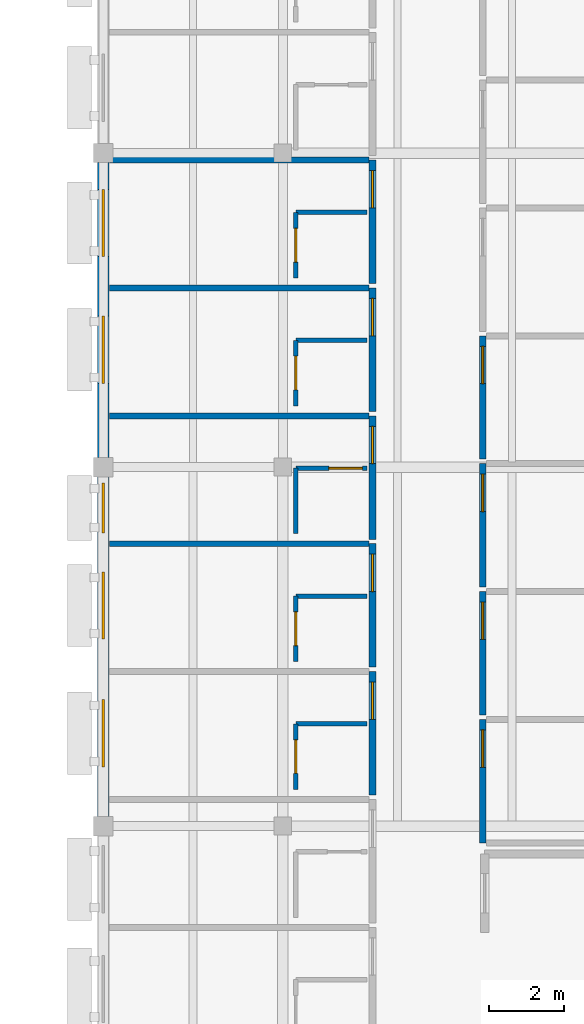
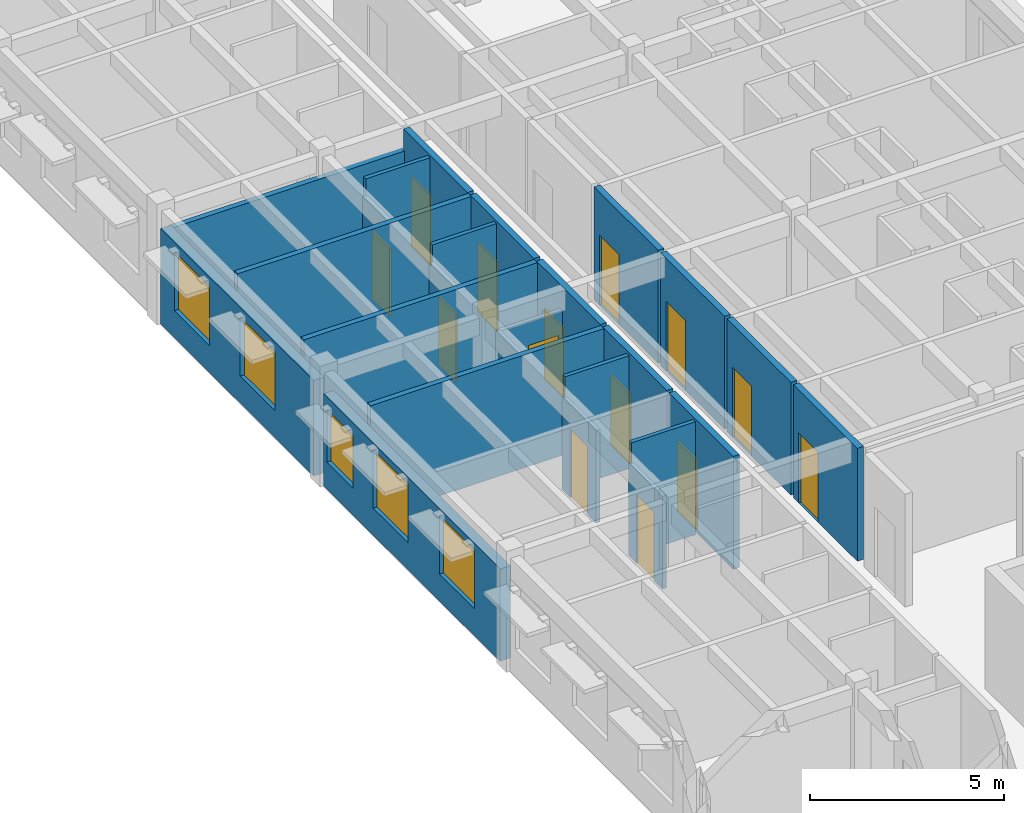
# One storey, part 10 of 22: 25 walls, 14 doors, 5 windows, 19 openings.
"""IFC4 building model written with IfcOpenShell, lengths in metres."""

from ifc_helpers import new_model, si_unit, direction, frame, frame_2d, origin, place, context, subcontext, project, spatial, rectangle, extrude, material, layer, layer_set, type_object, element, fill, save


model = new_model("IFC4")

# Units and contexts
model_context = context("Model", 3, precision=1e-05, world=origin(), true_north=direction((0.0, 1.0)))
body_context = subcontext(model_context, "Body", "Model", "MODEL_VIEW")
ifc_project = project(units=[si_unit("LENGTHUNIT", "METRE"), si_unit("AREAUNIT", "SQUARE_METRE"), si_unit("VOLUMEUNIT", "CUBIC_METRE"), si_unit("PLANEANGLEUNIT", "RADIAN"), si_unit("MASSUNIT", "GRAM", prefix="KILO")], contexts=[model_context])

# Site, building, storey
site_placement = place(None, origin())
site = spatial("IfcSite", under=ifc_project, at=site_placement, CompositionType="ELEMENT")
building_placement = place(site_placement, origin())
building = spatial("IfcBuilding", under=site, at=building_placement, Name="Veldera Park Congress Hotel", CompositionType="ELEMENT")
storey_placement = place(building_placement, frame((0.0, 0.0, 23.800048828125)))
storey = spatial("IfcBuildingStorey", under=building, at=storey_placement, Name="L05", CompositionType="ELEMENT", Elevation=23.800048828125)

# Wall, openings, windows
ifc_material_1 = material(Name="Cross-laminated timber CLT V2M1.1", Category="wood")
ifc_layer_1 = layer(ifc_material_1, 0.300048828125)
ifc_layer_set_1 = layer_set([ifc_layer_1], Name="Cross-laminated timber CLT V2M1.1")
wall_type_1 = type_object("IfcWallType", Name="EW-CLT300", PredefinedType="STANDARD", material=ifc_layer_set_1)
wall_1_placement = place(storey_placement, frame((60.800048828125, 18.342041015625, 0.0), z_axis=(0.0, 0.0, 1.0), x_axis=(0.0, -1.0, 0.0)))
wall_1 = element("IfcWall", 1, at=wall_1_placement, inside=storey, type_object=wall_type_1, Name="L05 Exterior Wall EW3-L05-0301", PredefinedType="STANDARD", context=body_context, shape_type="SweptSolid", body=[
    extrude(rectangle(XDim=7.884033203125, YDim=0.300048828125, at=frame_2d((3.94189453125, 0.0))), origin(), (0.0, 0.0, 1.0), 3.0048828125),
])
opening_1_placement = place(wall_1_placement, frame((4.10205078125, 0.0, 0.85009765625)))
opening_1 = element("IfcOpeningElement", 2, at=opening_1_placement, cuts=wall_1, Name="Opening WIN-1800", PredefinedType="OPENING", context=body_context, shape_type="SweptSolid", body=[
    extrude(rectangle(XDim=1.800048828125, YDim=1.85009765625, at=frame_2d((0.89990234375, 0.925048828125))), frame((0.0, 0.162109375, 0.0), z_axis=(0.0, -1.0, 0.0), x_axis=(1.0, 0.0, 0.0)), (0.0, 0.0, 1.0), 0.323974609375),
])
opening_2_placement = place(wall_1_placement, frame((0.716064453125, 0.0, 0.85009765625)))
opening_2 = element("IfcOpeningElement", 3, at=opening_2_placement, cuts=wall_1, Name="Opening WIN-1800", PredefinedType="OPENING", context=body_context, shape_type="SweptSolid", body=[
    extrude(rectangle(XDim=1.800048828125, YDim=1.85009765625, at=frame_2d((0.89990234375, 0.925048828125))), frame((0.0, 0.162109375, 0.0), z_axis=(0.0, -1.0, 0.0), x_axis=(1.0, 0.0, 0.0)), (0.0, 0.0, 1.0), 0.323974609375),
])
ifc_material_2 = material(Name="Low-E Triple Insulating Glass Unit (SHGC 0.22)", Category="glass")
window_type_1 = type_object("IfcWindowType", Name="WIN-1800", PartitioningType="SINGLE_PANEL", PredefinedType="WINDOW", material=ifc_material_2)
window_1_placement = place(opening_1_placement, origin())
window_1 = element("IfcWindow", 4, at=window_1_placement, inside=storey, type_object=window_type_1, Name="L05 Window WIN-1800 488", OverallHeight=1.85009765625, OverallWidth=1.800048828125, PartitioningType="SINGLE_PANEL", PredefinedType="WINDOW", context=body_context, shape_type="SweptSolid", body=[
    extrude(rectangle(XDim=1.800048828125, YDim=1.85009765625, at=frame_2d((0.89990234375, 0.925048828125))), frame((0.0, 0.030029296875, 0.0), z_axis=(0.0, -1.0, 0.0), x_axis=(1.0, 0.0, 0.0)), (0.0, 0.0, 1.0), 0.06005859375),
])
fill(opening_1, window_1)
window_2_placement = place(opening_2_placement, origin())
window_2 = element("IfcWindow", 5, at=window_2_placement, inside=storey, type_object=window_type_1, Name="L05 Window WIN-1800 489", OverallHeight=1.85009765625, OverallWidth=1.800048828125, PartitioningType="SINGLE_PANEL", PredefinedType="WINDOW", context=body_context, shape_type="SweptSolid", body=[
    extrude(rectangle(XDim=1.800048828125, YDim=1.85009765625, at=frame_2d((0.89990234375, 0.925048828125))), frame((0.0, 0.030029296875, 0.0), z_axis=(0.0, -1.0, 0.0), x_axis=(1.0, 0.0, 0.0)), (0.0, 0.0, 1.0), 0.06005859375),
])
fill(opening_2, window_2)

wall_2_placement = place(storey_placement, frame((60.800048828125, 9.94189453125, 0.0), z_axis=(0.0, 0.0, 1.0), x_axis=(0.0, -1.0, 0.0)))
wall_2 = element("IfcWall", 6, at=wall_2_placement, inside=storey, type_object=wall_type_1, Name="L05 Exterior Wall EW3-L05-0302", PredefinedType="STANDARD", context=body_context, shape_type="SweptSolid", body=[
    extrude(rectangle(XDim=9.083984375, YDim=0.300048828125, at=frame_2d((4.5419921875, 0.0))), origin(), (0.0, 0.0, 1.0), 2.905029296875),
])
opening_3_placement = place(wall_2_placement, frame((5.9619140625, 0.0, 0.85009765625)))
opening_3 = element("IfcOpeningElement", 7, at=opening_3_placement, cuts=wall_2, Name="Opening WIN-1800", PredefinedType="OPENING", context=body_context, shape_type="SweptSolid", body=[
    extrude(rectangle(XDim=1.800048828125, YDim=1.85009765625, at=frame_2d((0.89990234375, 0.925048828125))), frame((0.0, 0.162109375, 0.0), z_axis=(0.0, -1.0, 0.0), x_axis=(1.0, 0.0, 0.0)), (0.0, 0.0, 1.0), 0.323974609375),
])
opening_4_placement = place(wall_2_placement, frame((2.5419921875, 0.0, 0.85009765625)))
opening_4 = element("IfcOpeningElement", 8, at=opening_4_placement, cuts=wall_2, Name="Opening WIN-1800", PredefinedType="OPENING", context=body_context, shape_type="SweptSolid", body=[
    extrude(rectangle(XDim=1.800048828125, YDim=1.85009765625, at=frame_2d((0.89990234375, 0.925048828125))), frame((0.0, 0.162109375, 0.0), z_axis=(0.0, -1.0, 0.0), x_axis=(1.0, 0.0, 0.0)), (0.0, 0.0, 1.0), 0.323974609375),
])
opening_5_placement = place(wall_2_placement, frame((0.160888671875, 0.0, 0.85009765625)))
opening_5 = element("IfcOpeningElement", 9, at=opening_5_placement, cuts=wall_2, Name="Opening WIN-1350", PredefinedType="OPENING", context=body_context, shape_type="SweptSolid", body=[
    extrude(rectangle(XDim=1.35009765625, YDim=1.64990234375, at=frame_2d((0.675048828125, 0.824951171875))), frame((0.0, 0.162109375, 0.0), z_axis=(0.0, -1.0, 0.0), x_axis=(1.0, 0.0, 0.0)), (0.0, 0.0, 1.0), 0.323974609375),
])
window_type_2 = type_object("IfcWindowType", Name="WIN-1350", PartitioningType="SINGLE_PANEL", PredefinedType="WINDOW", material=ifc_material_2)
window_3_placement = place(opening_5_placement, origin())
window_3 = element("IfcWindow", 10, at=window_3_placement, inside=storey, type_object=window_type_2, Name="L05 Window WIN-1350 487", OverallHeight=1.64990234375, OverallWidth=1.35009765625, PartitioningType="SINGLE_PANEL", PredefinedType="WINDOW", context=body_context, shape_type="SweptSolid", body=[
    extrude(rectangle(XDim=1.35009765625, YDim=1.64990234375, at=frame_2d((0.675048828125, 0.824951171875))), frame((0.0, 0.030029296875, 0.0), z_axis=(0.0, -1.0, 0.0), x_axis=(1.0, 0.0, 0.0)), (0.0, 0.0, 1.0), 0.06005859375),
])
fill(opening_5, window_3)
window_4_placement = place(opening_3_placement, origin())
window_4 = element("IfcWindow", 11, at=window_4_placement, inside=storey, type_object=window_type_1, Name="L05 Window WIN-1800 485", OverallHeight=1.85009765625, OverallWidth=1.800048828125, PartitioningType="SINGLE_PANEL", PredefinedType="WINDOW", context=body_context, shape_type="SweptSolid", body=[
    extrude(rectangle(XDim=1.800048828125, YDim=1.85009765625, at=frame_2d((0.89990234375, 0.925048828125))), frame((0.0, 0.030029296875, 0.0), z_axis=(0.0, -1.0, 0.0), x_axis=(1.0, 0.0, 0.0)), (0.0, 0.0, 1.0), 0.06005859375),
])
fill(opening_3, window_4)
window_5_placement = place(opening_4_placement, origin())
window_5 = element("IfcWindow", 12, at=window_5_placement, inside=storey, type_object=window_type_1, Name="L05 Window WIN-1800 486", OverallHeight=1.85009765625, OverallWidth=1.800048828125, PartitioningType="SINGLE_PANEL", PredefinedType="WINDOW", context=body_context, shape_type="SweptSolid", body=[
    extrude(rectangle(XDim=1.800048828125, YDim=1.85009765625, at=frame_2d((0.89990234375, 0.925048828125))), frame((0.0, 0.030029296875, 0.0), z_axis=(0.0, -1.0, 0.0), x_axis=(1.0, 0.0, 0.0)), (0.0, 0.0, 1.0), 0.06005859375),
])
fill(opening_4, window_5)

# Wall, opening, door
ifc_material_3 = material(Name="Fire-Rated Gypsum Board on Cold-Formed Steel Studs", Category="steel")
ifc_layer_2 = layer(ifc_material_3, 0.1201171875)
ifc_layer_set_2 = layer_set([ifc_layer_2], Name="Fire-Rated Gypsum Board on Cold-Formed Steel Studs")
wall_type_2 = type_object("IfcWallType", Name="IW-BATH120", PredefinedType="PARTITIONING", material=ifc_layer_set_2)
wall_3_placement = place(storey_placement, frame((65.949951171875, 1.580078125, 0.0), z_axis=(0.0, 0.0, 1.0), x_axis=(0.0, 1.0, 0.0)))
wall_3 = element("IfcWall", 13, at=wall_3_placement, inside=storey, type_object=wall_type_2, Name="L05 Partition Wall IW3-L05-01047", PredefinedType="PARTITIONING", context=body_context, shape_type="SweptSolid", body=[
    extrude(rectangle(XDim=1.75, YDim=0.1201171875, at=frame_2d((0.875, 0.0))), origin(), (0.0, 0.0, 1.0), 2.905029296875),
])
opening_6_placement = place(wall_3_placement, frame((0.425048828125, 0.0, 0.0)))
opening_6 = element("IfcOpeningElement", 14, at=opening_6_placement, cuts=wall_3, Name="Opening ID-BATH090", PredefinedType="OPENING", context=body_context, shape_type="SweptSolid", body=[
    extrude(rectangle(XDim=0.89990234375, YDim=2.14990234375, at=frame_2d((0.449951171875, 1.074951171875))), frame((0.0, 0.072021484375, 0.0), z_axis=(0.0, -1.0, 0.0), x_axis=(1.0, 0.0, 0.0)), (0.0, 0.0, 1.0), 0.14404296875),
])
ifc_material_4 = material(Name="Solid Core White Oak Architectural Door", Category="wood")
door_type_1 = type_object("IfcDoorType", Name="ID-BATH090", OperationType="NOTDEFINED", PredefinedType="DOOR", material=ifc_material_4)
door_1_placement = place(opening_6_placement, origin())
door_1 = element("IfcDoor", 15, at=door_1_placement, inside=storey, type_object=door_type_1, Name="L05 En-suite 148 Door ID3-L05-0435 (DR3-ID3-L05-0435)", OperationType="SINGLE_SWING_LEFT", OverallHeight=2.14990234375, OverallWidth=0.89990234375, PredefinedType="DOOR", context=body_context, shape_type="SweptSolid", body=[
    extrude(rectangle(XDim=0.89990234375, YDim=2.14990234375, at=frame_2d((0.449951171875, 1.074951171875))), frame((0.0, 0.02490234375, 0.0), z_axis=(0.0, -1.0, 0.0), x_axis=(1.0, 0.0, 0.0)), (0.0, 0.0, 1.0), 0.050048828125),
])
fill(opening_6, door_1)

# Wall
wall_4_placement = place(storey_placement, frame((65.949951171875, 3.330078125, 0.0), z_axis=(0.0, 0.0, 1.0), x_axis=(1.0, 0.0, 0.0)))
element("IfcWall", 16, at=wall_4_placement, inside=storey, type_object=wall_type_2, Name="L05 Partition Wall IW3-L05-01048", PredefinedType="PARTITIONING", context=body_context, shape_type="SweptSolid", body=[
    extrude(rectangle(XDim=1.900146484375, YDim=0.1201171875, at=frame_2d((0.9501953125, 0.0))), origin(), (0.0, 0.0, 1.0), 3.550048828125),
])

# Wall, opening, door
wall_5_placement = place(storey_placement, frame((65.949951171875, 5.0, 0.0), z_axis=(0.0, 0.0, 1.0), x_axis=(0.0, 1.0, 0.0)))
wall_5 = element("IfcWall", 17, at=wall_5_placement, inside=storey, type_object=wall_type_2, Name="L05 Partition Wall IW3-L05-01051", PredefinedType="PARTITIONING", context=body_context, shape_type="SweptSolid", body=[
    extrude(rectangle(XDim=1.75, YDim=0.1201171875, at=frame_2d((0.875, 0.0))), origin(), (0.0, 0.0, 1.0), 2.905029296875),
])
opening_7_placement = place(wall_5_placement, frame((0.425048828125, 0.0, 0.0)))
opening_7 = element("IfcOpeningElement", 18, at=opening_7_placement, cuts=wall_5, Name="Opening ID-BATH090", PredefinedType="OPENING", context=body_context, shape_type="SweptSolid", body=[
    extrude(rectangle(XDim=0.89990234375, YDim=2.14990234375, at=frame_2d((0.449951171875, 1.074951171875))), frame((0.0, 0.072021484375, 0.0), z_axis=(0.0, -1.0, 0.0), x_axis=(1.0, 0.0, 0.0)), (0.0, 0.0, 1.0), 0.14404296875),
])
door_2_placement = place(opening_7_placement, origin())
door_2 = element("IfcDoor", 19, at=door_2_placement, inside=storey, type_object=door_type_1, Name="L05 En-suite 149 Door ID3-L05-0437 (DR3-ID3-L05-0437)", OperationType="SINGLE_SWING_LEFT", OverallHeight=2.14990234375, OverallWidth=0.89990234375, PredefinedType="DOOR", context=body_context, shape_type="SweptSolid", body=[
    extrude(rectangle(XDim=0.89990234375, YDim=2.14990234375, at=frame_2d((0.449951171875, 1.074951171875))), frame((0.0, 0.02490234375, 0.0), z_axis=(0.0, -1.0, 0.0), x_axis=(1.0, 0.0, 0.0)), (0.0, 0.0, 1.0), 0.050048828125),
])
fill(opening_7, door_2)

# Walls
wall_6_placement = place(storey_placement, frame((65.949951171875, 6.75, 0.0), z_axis=(0.0, 0.0, 1.0), x_axis=(1.0, 0.0, 0.0)))
element("IfcWall", 20, at=wall_6_placement, inside=storey, type_object=wall_type_2, Name="L05 Partition Wall IW3-L05-01052", PredefinedType="PARTITIONING", context=body_context, shape_type="SweptSolid", body=[
    extrude(rectangle(XDim=1.900146484375, YDim=0.1201171875, at=frame_2d((0.9501953125, 0.0))), origin(), (0.0, 0.0, 1.0), 3.550048828125),
])
wall_7_placement = place(storey_placement, frame((65.949951171875, 8.419921875, 0.0), z_axis=(0.0, 0.0, 1.0), x_axis=(0.0, 1.0, 0.0)))
element("IfcWall", 21, at=wall_7_placement, inside=storey, type_object=wall_type_2, Name="L05 Partition Wall IW3-L05-01055", PredefinedType="PARTITIONING", context=body_context, shape_type="SweptSolid", body=[
    extrude(rectangle(XDim=1.75, YDim=0.1201171875, at=frame_2d((0.875, 0.0))), origin(), (0.0, 0.0, 1.0), 2.905029296875),
])

# Wall, opening, door
wall_8_placement = place(storey_placement, frame((65.949951171875, 10.169921875, 0.0), z_axis=(0.0, 0.0, 1.0), x_axis=(1.0, 0.0, 0.0)))
wall_8 = element("IfcWall", 22, at=wall_8_placement, inside=storey, type_object=wall_type_2, Name="L05 Partition Wall IW3-L05-01056", PredefinedType="PARTITIONING", context=body_context, shape_type="SweptSolid", body=[
    extrude(rectangle(XDim=1.900146484375, YDim=0.1201171875, at=frame_2d((0.9501953125, 0.0))), origin(), (0.0, 0.0, 1.0), 2.905029296875),
])
opening_8_placement = place(wall_8_placement, frame((0.8798828125, 0.0, 0.0)))
opening_8 = element("IfcOpeningElement", 23, at=opening_8_placement, cuts=wall_8, Name="Opening ID-BATH090", PredefinedType="OPENING", context=body_context, shape_type="SweptSolid", body=[
    extrude(rectangle(XDim=0.89990234375, YDim=2.14990234375, at=frame_2d((0.449951171875, 1.074951171875))), frame((0.0, 0.072021484375, 0.0), z_axis=(0.0, -1.0, 0.0), x_axis=(1.0, 0.0, 0.0)), (0.0, 0.0, 1.0), 0.14404296875),
])
door_3_placement = place(opening_8_placement, origin())
door_3 = element("IfcDoor", 24, at=door_3_placement, inside=storey, type_object=door_type_1, Name="L05 En-suite 150 Door ID3-L05-0439 (DR3-ID3-L05-0439)", OperationType="SINGLE_SWING_LEFT", OverallHeight=2.14990234375, OverallWidth=0.89990234375, PredefinedType="DOOR", context=body_context, shape_type="SweptSolid", body=[
    extrude(rectangle(XDim=0.89990234375, YDim=2.14990234375, at=frame_2d((0.449951171875, 1.074951171875))), frame((0.0, 0.02490234375, 0.0), z_axis=(0.0, -1.0, 0.0), x_axis=(1.0, 0.0, 0.0)), (0.0, 0.0, 1.0), 0.050048828125),
])
fill(opening_8, door_3)

wall_9_placement = place(storey_placement, frame((65.949951171875, 11.840087890625, 0.0), z_axis=(0.0, 0.0, 1.0), x_axis=(0.0, 1.0, 0.0)))
wall_9 = element("IfcWall", 25, at=wall_9_placement, inside=storey, type_object=wall_type_2, Name="L05 Partition Wall IW3-L05-01059", PredefinedType="PARTITIONING", context=body_context, shape_type="SweptSolid", body=[
    extrude(rectangle(XDim=1.75, YDim=0.1201171875, at=frame_2d((0.875, 0.0))), origin(), (0.0, 0.0, 1.0), 3.0048828125),
])
opening_9_placement = place(wall_9_placement, frame((0.425048828125, 0.0, 0.0)))
opening_9 = element("IfcOpeningElement", 26, at=opening_9_placement, cuts=wall_9, Name="Opening ID-BATH090", PredefinedType="OPENING", context=body_context, shape_type="SweptSolid", body=[
    extrude(rectangle(XDim=0.89990234375, YDim=2.14990234375, at=frame_2d((0.449951171875, 1.074951171875))), frame((0.0, 0.072021484375, 0.0), z_axis=(0.0, -1.0, 0.0), x_axis=(1.0, 0.0, 0.0)), (0.0, 0.0, 1.0), 0.14404296875),
])
door_4_placement = place(opening_9_placement, origin())
door_4 = element("IfcDoor", 27, at=door_4_placement, inside=storey, type_object=door_type_1, Name="L05 En-suite 151 Door ID3-L05-0441 (DR3-ID3-L05-0441)", OperationType="SINGLE_SWING_LEFT", OverallHeight=2.14990234375, OverallWidth=0.89990234375, PredefinedType="DOOR", context=body_context, shape_type="SweptSolid", body=[
    extrude(rectangle(XDim=0.89990234375, YDim=2.14990234375, at=frame_2d((0.449951171875, 1.074951171875))), frame((0.0, 0.02490234375, 0.0), z_axis=(0.0, -1.0, 0.0), x_axis=(1.0, 0.0, 0.0)), (0.0, 0.0, 1.0), 0.050048828125),
])
fill(opening_9, door_4)

# Wall
wall_10_placement = place(storey_placement, frame((65.949951171875, 13.590087890625, 0.0), z_axis=(0.0, 0.0, 1.0), x_axis=(1.0, 0.0, 0.0)))
element("IfcWall", 28, at=wall_10_placement, inside=storey, type_object=wall_type_2, Name="L05 Partition Wall IW3-L05-01060", PredefinedType="PARTITIONING", context=body_context, shape_type="SweptSolid", body=[
    extrude(rectangle(XDim=1.900146484375, YDim=0.1201171875, at=frame_2d((0.9501953125, 0.0))), origin(), (0.0, 0.0, 1.0), 3.550048828125),
])

# Wall, opening, door
wall_11_placement = place(storey_placement, frame((65.949951171875, 15.260009765625, 0.0), z_axis=(0.0, 0.0, 1.0), x_axis=(0.0, 1.0, 0.0)))
wall_11 = element("IfcWall", 29, at=wall_11_placement, inside=storey, type_object=wall_type_2, Name="L05 Partition Wall IW3-L05-01063", PredefinedType="PARTITIONING", context=body_context, shape_type="SweptSolid", body=[
    extrude(rectangle(XDim=1.75, YDim=0.1201171875, at=frame_2d((0.875, 0.0))), origin(), (0.0, 0.0, 1.0), 3.0048828125),
])
opening_10_placement = place(wall_11_placement, frame((0.425048828125, 0.0, 0.0)))
opening_10 = element("IfcOpeningElement", 30, at=opening_10_placement, cuts=wall_11, Name="Opening ID-BATH090", PredefinedType="OPENING", context=body_context, shape_type="SweptSolid", body=[
    extrude(rectangle(XDim=0.89990234375, YDim=2.14990234375, at=frame_2d((0.449951171875, 1.074951171875))), frame((0.0, 0.072021484375, 0.0), z_axis=(0.0, -1.0, 0.0), x_axis=(1.0, 0.0, 0.0)), (0.0, 0.0, 1.0), 0.14404296875),
])
door_5_placement = place(opening_10_placement, origin())
door_5 = element("IfcDoor", 31, at=door_5_placement, inside=storey, type_object=door_type_1, Name="L05 En-suite 152 Door ID3-L05-0443 (DR3-ID3-L05-0443)", OperationType="SINGLE_SWING_LEFT", OverallHeight=2.14990234375, OverallWidth=0.89990234375, PredefinedType="DOOR", context=body_context, shape_type="SweptSolid", body=[
    extrude(rectangle(XDim=0.89990234375, YDim=2.14990234375, at=frame_2d((0.449951171875, 1.074951171875))), frame((0.0, 0.02490234375, 0.0), z_axis=(0.0, -1.0, 0.0), x_axis=(1.0, 0.0, 0.0)), (0.0, 0.0, 1.0), 0.050048828125),
])
fill(opening_10, door_5)

# Wall
wall_12_placement = place(storey_placement, frame((65.949951171875, 17.010009765625, 0.0), z_axis=(0.0, 0.0, 1.0), x_axis=(1.0, 0.0, 0.0)))
element("IfcWall", 32, at=wall_12_placement, inside=storey, type_object=wall_type_2, Name="L05 Partition Wall IW3-L05-01064", PredefinedType="PARTITIONING", context=body_context, shape_type="SweptSolid", body=[
    extrude(rectangle(XDim=1.900146484375, YDim=0.1201171875, at=frame_2d((0.9501953125, 0.0))), origin(), (0.0, 0.0, 1.0), 3.550048828125),
])

# Wall, opening, door
ifc_layer_3 = layer(ifc_material_3, 0.179931640625)
ifc_layer_set_3 = layer_set([ifc_layer_3], Name="Fire-Rated Gypsum Board on Cold-Formed Steel Studs")
wall_type_3 = type_object("IfcWallType", Name="IW-CORR180", PredefinedType="PARTITIONING", material=ifc_layer_set_3)
wall_13_placement = place(storey_placement, frame((68.0, 1.429931640625, 0.0), z_axis=(0.0, 0.0, 1.0), x_axis=(0.0, 1.0, 0.0)))
wall_13 = element("IfcWall", 33, at=wall_13_placement, inside=storey, type_object=wall_type_3, Name="L05 Corridor Wall IW3-L05-01045", PredefinedType="PARTITIONING", context=body_context, shape_type="SweptSolid", body=[
    extrude(rectangle(XDim=3.300048828125, YDim=0.179931640625, at=frame_2d((1.64990234375, 0.0))), origin(), (0.0, 0.0, 1.0), 3.550048828125),
])
opening_11_placement = place(wall_13_placement, frame((2.02001953125, 0.0, 0.0)))
opening_11 = element("IfcOpeningElement", 34, at=opening_11_placement, cuts=wall_13, Name="Opening ID-UNIT100", PredefinedType="OPENING", context=body_context, shape_type="SweptSolid", body=[
    extrude(rectangle(XDim=1.0, YDim=2.199951171875, at=frame_2d((0.5, 1.10009765625))), frame((0.0, 0.10205078125, 0.0), z_axis=(0.0, -1.0, 0.0), x_axis=(1.0, 0.0, 0.0)), (0.0, 0.0, 1.0), 0.203857421875),
])
door_type_2 = type_object("IfcDoorType", Name="ID-UNIT100", OperationType="NOTDEFINED", PredefinedType="DOOR", material=ifc_material_4)
door_6_placement = place(opening_11_placement, origin())
door_6 = element("IfcDoor", 35, at=door_6_placement, inside=storey, type_object=door_type_2, Name="L05 Guestroom 148 Entry Door (DR3-UD3-L05-148)", OperationType="SINGLE_SWING_RIGHT", OverallHeight=2.199951171875, OverallWidth=1.0, PredefinedType="DOOR", context=body_context, shape_type="SweptSolid", body=[
    extrude(rectangle(XDim=1.0, YDim=2.199951171875, at=frame_2d((0.5, 1.10009765625))), frame((0.0, 0.02490234375, 0.0), z_axis=(0.0, -1.0, 0.0), x_axis=(1.0, 0.0, 0.0)), (0.0, 0.0, 1.0), 0.050048828125),
])
fill(opening_11, door_6)

wall_14_placement = place(storey_placement, frame((68.0, 4.85009765625, 0.0), z_axis=(0.0, 0.0, 1.0), x_axis=(0.0, 1.0, 0.0)))
wall_14 = element("IfcWall", 36, at=wall_14_placement, inside=storey, type_object=wall_type_3, Name="L05 Corridor Wall IW3-L05-01049", PredefinedType="PARTITIONING", context=body_context, shape_type="SweptSolid", body=[
    extrude(rectangle(XDim=3.2998046875, YDim=0.179931640625, at=frame_2d((1.64990234375, 0.0))), origin(), (0.0, 0.0, 1.0), 3.550048828125),
])
opening_12_placement = place(wall_14_placement, frame((2.02001953125, 0.0, 0.0)))
opening_12 = element("IfcOpeningElement", 37, at=opening_12_placement, cuts=wall_14, Name="Opening ID-UNIT100", PredefinedType="OPENING", context=body_context, shape_type="SweptSolid", body=[
    extrude(rectangle(XDim=1.0, YDim=2.199951171875, at=frame_2d((0.5, 1.10009765625))), frame((0.0, 0.10205078125, 0.0), z_axis=(0.0, -1.0, 0.0), x_axis=(1.0, 0.0, 0.0)), (0.0, 0.0, 1.0), 0.203857421875),
])
door_7_placement = place(opening_12_placement, origin())
door_7 = element("IfcDoor", 38, at=door_7_placement, inside=storey, type_object=door_type_2, Name="L05 Guestroom 149 Entry Door (DR3-UD3-L05-149)", OperationType="SINGLE_SWING_RIGHT", OverallHeight=2.199951171875, OverallWidth=1.0, PredefinedType="DOOR", context=body_context, shape_type="SweptSolid", body=[
    extrude(rectangle(XDim=1.0, YDim=2.199951171875, at=frame_2d((0.5, 1.10009765625))), frame((0.0, 0.02490234375, 0.0), z_axis=(0.0, -1.0, 0.0), x_axis=(1.0, 0.0, 0.0)), (0.0, 0.0, 1.0), 0.050048828125),
])
fill(opening_12, door_7)

wall_15_placement = place(storey_placement, frame((68.0, 8.27001953125, 0.0), z_axis=(0.0, 0.0, 1.0), x_axis=(0.0, 1.0, 0.0)))
wall_15 = element("IfcWall", 39, at=wall_15_placement, inside=storey, type_object=wall_type_3, Name="L05 Corridor Wall IW3-L05-01053", PredefinedType="PARTITIONING", context=body_context, shape_type="SweptSolid", body=[
    extrude(rectangle(XDim=3.300048828125, YDim=0.179931640625, at=frame_2d((1.64990234375, 0.0))), origin(), (0.0, 0.0, 1.0), 3.550048828125),
])
opening_13_placement = place(wall_15_placement, frame((2.02001953125, 0.0, 0.0)))
opening_13 = element("IfcOpeningElement", 40, at=opening_13_placement, cuts=wall_15, Name="Opening ID-UNIT100", PredefinedType="OPENING", context=body_context, shape_type="SweptSolid", body=[
    extrude(rectangle(XDim=1.0, YDim=2.199951171875, at=frame_2d((0.5, 1.10009765625))), frame((0.0, 0.10205078125, 0.0), z_axis=(0.0, -1.0, 0.0), x_axis=(1.0, 0.0, 0.0)), (0.0, 0.0, 1.0), 0.203857421875),
])
door_8_placement = place(opening_13_placement, origin())
door_8 = element("IfcDoor", 41, at=door_8_placement, inside=storey, type_object=door_type_2, Name="L05 Guestroom 150 Entry Door (DR3-UD3-L05-150)", OperationType="SINGLE_SWING_RIGHT", OverallHeight=2.199951171875, OverallWidth=1.0, PredefinedType="DOOR", context=body_context, shape_type="SweptSolid", body=[
    extrude(rectangle(XDim=1.0, YDim=2.199951171875, at=frame_2d((0.5, 1.10009765625))), frame((0.0, 0.02490234375, 0.0), z_axis=(0.0, -1.0, 0.0), x_axis=(1.0, 0.0, 0.0)), (0.0, 0.0, 1.0), 0.050048828125),
])
fill(opening_13, door_8)

wall_16_placement = place(storey_placement, frame((68.0, 11.68994140625, 0.0), z_axis=(0.0, 0.0, 1.0), x_axis=(0.0, 1.0, 0.0)))
wall_16 = element("IfcWall", 42, at=wall_16_placement, inside=storey, type_object=wall_type_3, Name="L05 Corridor Wall IW3-L05-01057", PredefinedType="PARTITIONING", context=body_context, shape_type="SweptSolid", body=[
    extrude(rectangle(XDim=3.300048828125, YDim=0.179931640625, at=frame_2d((1.64990234375, 0.0))), origin(), (0.0, 0.0, 1.0), 3.550048828125),
])
opening_14_placement = place(wall_16_placement, frame((2.02001953125, 0.0, 0.0)))
opening_14 = element("IfcOpeningElement", 43, at=opening_14_placement, cuts=wall_16, Name="Opening ID-UNIT100", PredefinedType="OPENING", context=body_context, shape_type="SweptSolid", body=[
    extrude(rectangle(XDim=1.0, YDim=2.199951171875, at=frame_2d((0.5, 1.10009765625))), frame((0.0, 0.10205078125, 0.0), z_axis=(0.0, -1.0, 0.0), x_axis=(1.0, 0.0, 0.0)), (0.0, 0.0, 1.0), 0.203857421875),
])
door_9_placement = place(opening_14_placement, origin())
door_9 = element("IfcDoor", 44, at=door_9_placement, inside=storey, type_object=door_type_2, Name="L05 Guestroom 151 Entry Door (DR3-UD3-L05-151)", OperationType="SINGLE_SWING_RIGHT", OverallHeight=2.199951171875, OverallWidth=1.0, PredefinedType="DOOR", context=body_context, shape_type="SweptSolid", body=[
    extrude(rectangle(XDim=1.0, YDim=2.199951171875, at=frame_2d((0.5, 1.10009765625))), frame((0.0, 0.02490234375, 0.0), z_axis=(0.0, -1.0, 0.0), x_axis=(1.0, 0.0, 0.0)), (0.0, 0.0, 1.0), 0.050048828125),
])
fill(opening_14, door_9)

wall_17_placement = place(storey_placement, frame((68.0, 15.110107421875, 0.0), z_axis=(0.0, 0.0, 1.0), x_axis=(0.0, 1.0, 0.0)))
wall_17 = element("IfcWall", 45, at=wall_17_placement, inside=storey, type_object=wall_type_3, Name="L05 Corridor Wall IW3-L05-01061", PredefinedType="PARTITIONING", context=body_context, shape_type="SweptSolid", body=[
    extrude(rectangle(XDim=3.2998046875, YDim=0.179931640625, at=frame_2d((1.64990234375, 0.0))), origin(), (0.0, 0.0, 1.0), 3.550048828125),
])
opening_15_placement = place(wall_17_placement, frame((2.02001953125, 0.0, 0.0)))
opening_15 = element("IfcOpeningElement", 46, at=opening_15_placement, cuts=wall_17, Name="Opening ID-UNIT100", PredefinedType="OPENING", context=body_context, shape_type="SweptSolid", body=[
    extrude(rectangle(XDim=1.0, YDim=2.199951171875, at=frame_2d((0.5, 1.10009765625))), frame((0.0, 0.10205078125, 0.0), z_axis=(0.0, -1.0, 0.0), x_axis=(1.0, 0.0, 0.0)), (0.0, 0.0, 1.0), 0.203857421875),
])
door_10_placement = place(opening_15_placement, origin())
door_10 = element("IfcDoor", 47, at=door_10_placement, inside=storey, type_object=door_type_2, Name="L05 Guestroom 152 Entry Door (DR3-UD3-L05-152)", OperationType="SINGLE_SWING_RIGHT", OverallHeight=2.199951171875, OverallWidth=1.0, PredefinedType="DOOR", context=body_context, shape_type="SweptSolid", body=[
    extrude(rectangle(XDim=1.0, YDim=2.199951171875, at=frame_2d((0.5, 1.10009765625))), frame((0.0, 0.02490234375, 0.0), z_axis=(0.0, -1.0, 0.0), x_axis=(1.0, 0.0, 0.0)), (0.0, 0.0, 1.0), 0.050048828125),
])
fill(opening_15, door_10)

wall_18_placement = place(storey_placement, frame((70.949951171875, 3.449951171875, 0.0), z_axis=(0.0, 0.0, 1.0), x_axis=(0.0, -1.0, 0.0)))
wall_18 = element("IfcWall", 48, at=wall_18_placement, inside=storey, type_object=wall_type_3, Name="L05 Corridor Wall IW3-L05-01113", PredefinedType="PARTITIONING", context=body_context, shape_type="SweptSolid", body=[
    extrude(rectangle(XDim=3.300048828125, YDim=0.179931640625, at=frame_2d((1.64990234375, 0.0))), origin(), (0.0, 0.0, 1.0), 3.550048828125),
])
opening_16_placement = place(wall_18_placement, frame((0.280029296875, 0.0, 0.0)))
opening_16 = element("IfcOpeningElement", 49, at=opening_16_placement, cuts=wall_18, Name="Opening ID-UNIT100", PredefinedType="OPENING", context=body_context, shape_type="SweptSolid", body=[
    extrude(rectangle(XDim=1.0, YDim=2.199951171875, at=frame_2d((0.5, 1.10009765625))), frame((0.0, 0.10205078125, 0.0), z_axis=(0.0, -1.0, 0.0), x_axis=(1.0, 0.0, 0.0)), (0.0, 0.0, 1.0), 0.203857421875),
])
door_11_placement = place(opening_16_placement, origin())
door_11 = element("IfcDoor", 50, at=door_11_placement, inside=storey, type_object=door_type_2, Name="L05 Guestroom 163 Entry Door (DR3-UD3-L05-163)", OperationType="SINGLE_SWING_RIGHT", OverallHeight=2.199951171875, OverallWidth=1.0, PredefinedType="DOOR", context=body_context, shape_type="SweptSolid", body=[
    extrude(rectangle(XDim=1.0, YDim=2.199951171875, at=frame_2d((0.5, 1.10009765625))), frame((0.0, 0.02490234375, 0.0), z_axis=(0.0, -1.0, 0.0), x_axis=(1.0, 0.0, 0.0)), (0.0, 0.0, 1.0), 0.050048828125),
])
fill(opening_16, door_11)

wall_19_placement = place(storey_placement, frame((70.949951171875, 6.8701171875, 0.0), z_axis=(0.0, 0.0, 1.0), x_axis=(0.0, -1.0, 0.0)))
wall_19 = element("IfcWall", 51, at=wall_19_placement, inside=storey, type_object=wall_type_3, Name="L05 Corridor Wall IW3-L05-01119", PredefinedType="PARTITIONING", context=body_context, shape_type="SweptSolid", body=[
    extrude(rectangle(XDim=3.300048828125, YDim=0.179931640625, at=frame_2d((1.64990234375, 0.0))), origin(), (0.0, 0.0, 1.0), 3.550048828125),
])
opening_17_placement = place(wall_19_placement, frame((0.280029296875, 0.0, 0.0)))
opening_17 = element("IfcOpeningElement", 52, at=opening_17_placement, cuts=wall_19, Name="Opening ID-UNIT100", PredefinedType="OPENING", context=body_context, shape_type="SweptSolid", body=[
    extrude(rectangle(XDim=1.0, YDim=2.199951171875, at=frame_2d((0.5, 1.10009765625))), frame((0.0, 0.10205078125, 0.0), z_axis=(0.0, -1.0, 0.0), x_axis=(1.0, 0.0, 0.0)), (0.0, 0.0, 1.0), 0.203857421875),
])
door_12_placement = place(opening_17_placement, origin())
door_12 = element("IfcDoor", 53, at=door_12_placement, inside=storey, type_object=door_type_2, Name="L05 Guestroom 164 Entry Door (DR3-UD3-L05-164)", OperationType="SINGLE_SWING_RIGHT", OverallHeight=2.199951171875, OverallWidth=1.0, PredefinedType="DOOR", context=body_context, shape_type="SweptSolid", body=[
    extrude(rectangle(XDim=1.0, YDim=2.199951171875, at=frame_2d((0.5, 1.10009765625))), frame((0.0, 0.02490234375, 0.0), z_axis=(0.0, -1.0, 0.0), x_axis=(1.0, 0.0, 0.0)), (0.0, 0.0, 1.0), 0.050048828125),
])
fill(opening_17, door_12)

wall_20_placement = place(storey_placement, frame((70.949951171875, 10.2900390625, 0.0), z_axis=(0.0, 0.0, 1.0), x_axis=(0.0, -1.0, 0.0)))
wall_20 = element("IfcWall", 54, at=wall_20_placement, inside=storey, type_object=wall_type_3, Name="L05 Corridor Wall IW3-L05-01124", PredefinedType="PARTITIONING", context=body_context, shape_type="SweptSolid", body=[
    extrude(rectangle(XDim=3.300048828125, YDim=0.179931640625, at=frame_2d((1.64990234375, 0.0))), origin(), (0.0, 0.0, 1.0), 3.550048828125),
])
opening_18_placement = place(wall_20_placement, frame((0.280029296875, 0.0, 0.0)))
opening_18 = element("IfcOpeningElement", 55, at=opening_18_placement, cuts=wall_20, Name="Opening ID-UNIT100", PredefinedType="OPENING", context=body_context, shape_type="SweptSolid", body=[
    extrude(rectangle(XDim=1.0, YDim=2.199951171875, at=frame_2d((0.5, 1.10009765625))), frame((0.0, 0.10205078125, 0.0), z_axis=(0.0, -1.0, 0.0), x_axis=(1.0, 0.0, 0.0)), (0.0, 0.0, 1.0), 0.203857421875),
])
door_13_placement = place(opening_18_placement, origin())
door_13 = element("IfcDoor", 56, at=door_13_placement, inside=storey, type_object=door_type_2, Name="L05 Guestroom 165 Entry Door (DR3-UD3-L05-165)", OperationType="SINGLE_SWING_RIGHT", OverallHeight=2.199951171875, OverallWidth=1.0, PredefinedType="DOOR", context=body_context, shape_type="SweptSolid", body=[
    extrude(rectangle(XDim=1.0, YDim=2.199951171875, at=frame_2d((0.5, 1.10009765625))), frame((0.0, 0.02490234375, 0.0), z_axis=(0.0, -1.0, 0.0), x_axis=(1.0, 0.0, 0.0)), (0.0, 0.0, 1.0), 0.050048828125),
])
fill(opening_18, door_13)

wall_21_placement = place(storey_placement, frame((70.949951171875, 13.7099609375, 0.0), z_axis=(0.0, 0.0, 1.0), x_axis=(0.0, -1.0, 0.0)))
wall_21 = element("IfcWall", 57, at=wall_21_placement, inside=storey, type_object=wall_type_3, Name="L05 Corridor Wall IW3-L05-01129", PredefinedType="PARTITIONING", context=body_context, shape_type="SweptSolid", body=[
    extrude(rectangle(XDim=3.300048828125, YDim=0.179931640625, at=frame_2d((1.64990234375, 0.0))), origin(), (0.0, 0.0, 1.0), 3.550048828125),
])
opening_19_placement = place(wall_21_placement, frame((0.280029296875, 0.0, 0.0)))
opening_19 = element("IfcOpeningElement", 58, at=opening_19_placement, cuts=wall_21, Name="Opening ID-UNIT100", PredefinedType="OPENING", context=body_context, shape_type="SweptSolid", body=[
    extrude(rectangle(XDim=1.0, YDim=2.199951171875, at=frame_2d((0.5, 1.10009765625))), frame((0.0, 0.10205078125, 0.0), z_axis=(0.0, -1.0, 0.0), x_axis=(1.0, 0.0, 0.0)), (0.0, 0.0, 1.0), 0.203857421875),
])
door_14_placement = place(opening_19_placement, origin())
door_14 = element("IfcDoor", 59, at=door_14_placement, inside=storey, type_object=door_type_2, Name="L05 Guestroom 166 Entry Door (DR3-UD3-L05-166)", OperationType="SINGLE_SWING_RIGHT", OverallHeight=2.199951171875, OverallWidth=1.0, PredefinedType="DOOR", context=body_context, shape_type="SweptSolid", body=[
    extrude(rectangle(XDim=1.0, YDim=2.199951171875, at=frame_2d((0.5, 1.10009765625))), frame((0.0, 0.02490234375, 0.0), z_axis=(0.0, -1.0, 0.0), x_axis=(1.0, 0.0, 0.0)), (0.0, 0.0, 1.0), 0.050048828125),
])
fill(opening_19, door_14)

# Walls
ifc_layer_4 = layer(ifc_material_1, 0.159912109375)
ifc_layer_set_4 = layer_set([ifc_layer_4], Name="Cross-laminated timber CLT V2M1.1")
wall_type_4 = type_object("IfcWallType", Name="IW-UNIT160", PredefinedType="PARTITIONING", material=ifc_layer_set_4)
for number, where, z_axis, x_axis, name in (
    (60, (60.9599609375, 8.14990234375, 0.0), (0.0, 0.0, 1.0), (1.0, 0.0, 0.0), "L05 Partition Wall IW3-L05-01050"),
    (61, (60.9599609375, 11.570068359375, 0.0), (0.0, 0.0, 1.0), (1.0, 0.0, 0.0), "L05 Partition Wall IW3-L05-01054"),
    (62, (60.9599609375, 14.989990234375, 0.0), (0.0, 0.0, 1.0), (1.0, 0.0, 0.0), "L05 Partition Wall IW3-L05-01058"),
):
    element("IfcWall", number, at=place(storey_placement, frame(where, z_axis=z_axis, x_axis=x_axis)), inside=storey, type_object=wall_type_4, Name=name, PredefinedType="PARTITIONING", context=body_context, shape_type="SweptSolid", body=[
        extrude(rectangle(XDim=6.93994140625, YDim=0.159912109375, at=frame_2d((3.469970703125, 0.0))), origin(), (0.0, 0.0, 1.0), 3.550048828125),
    ])
wall_22_placement = place(storey_placement, frame((60.9599609375, 18.409912109375, 0.0), z_axis=(0.0, 0.0, 1.0), x_axis=(1.0, 0.0, 0.0)))
element("IfcWall", 63, at=wall_22_placement, inside=storey, type_object=wall_type_4, Name="L05 Partition Wall IW3-L05-01062", PredefinedType="PARTITIONING", context=body_context, shape_type="SweptSolid", body=[
    extrude(rectangle(XDim=6.93994140625, YDim=0.159912109375, at=frame_2d((3.469970703125, 0.0))), origin(), (0.0, 0.0, 1.0), 2.905029296875),
])

save(model, "model.ifc")
